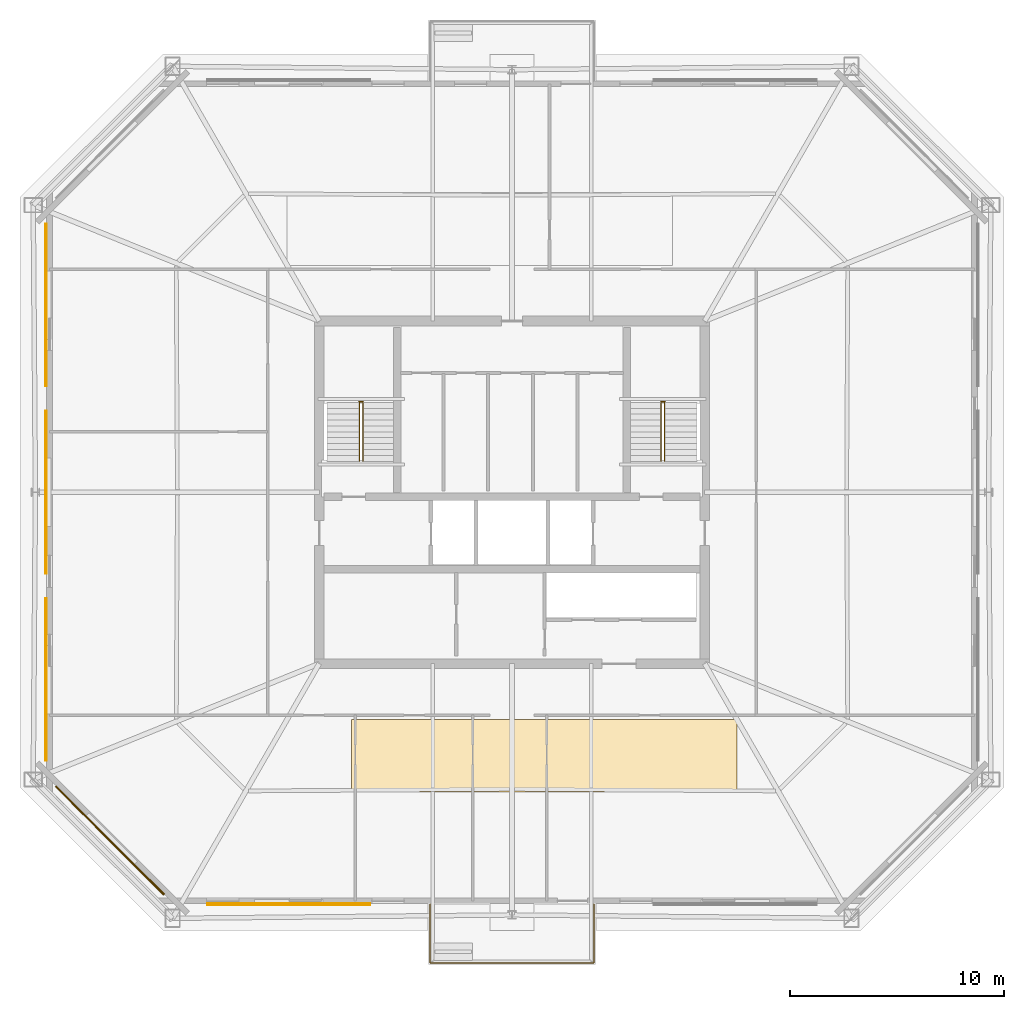
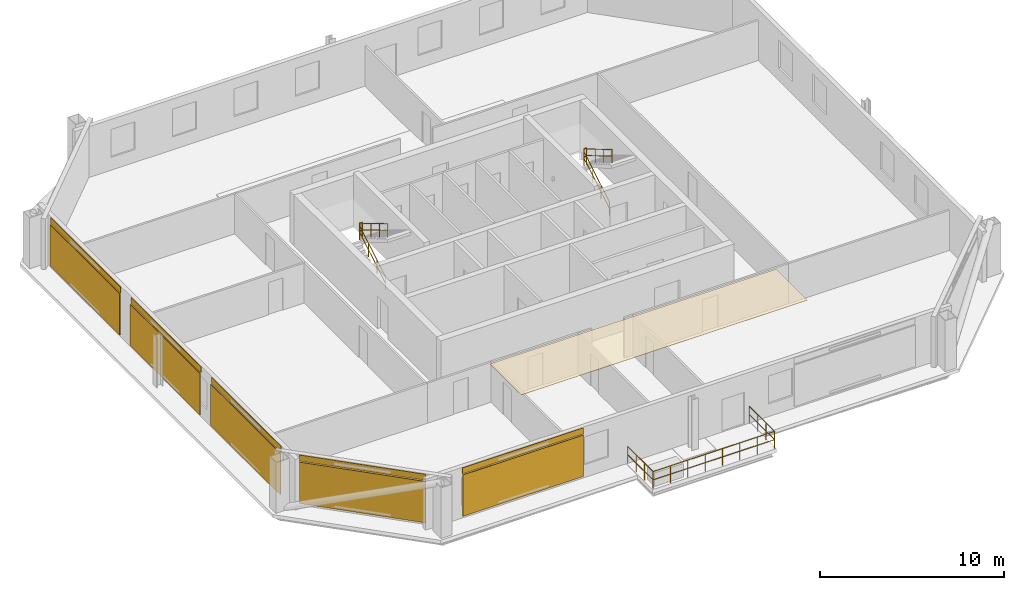
# One storey, part 6 of 7: 7 railings, 6 coverings, 5 shading devices.
"""IFC4 building model written with IfcOpenShell, lengths in metres."""

import ifcopenshell
import ifcopenshell.guid

model = None  # the IFC model being written
_history = None  # IfcOwnerHistory: only IFC2X3 demands one
_inside = {}  # id of a spatial element -> (the spatial element, [elements in it])
_under = {}  # id of a project, library or spatial element -> (it, [spatial elements below it])
_declared = {}  # id of a project -> (the project, [libraries it declares])
_typed = {}  # id of a type object -> (the type object, [elements of that type])
_made_of = {}  # id of a material, layer set ... -> (it, [elements and type objects made of it])


def new_model(schema):
    """Start an empty IFC model of exactly this schema.

    Asked for "IFC4X3", IfcOpenShell would pick the latest addendum, in which some entities
    have other attributes; the version numbers below select the first issue.
    IFC2X3 requires an IfcOwnerHistory on every rooted entity: one is made here for all.
    """
    global model, _history
    if schema == "IFC4X3":
        model = ifcopenshell.file(schema_version=(4, 3, 0, 0))
    else:
        model = ifcopenshell.file(schema=schema)
    _inside.clear()
    _under.clear()
    _declared.clear()
    _typed.clear()
    _made_of.clear()
    _history = None
    if model.schema == "IFC2X3":
        org = make("IfcOrganization", Name="unknown")
        user = make(
            "IfcPersonAndOrganization",
            ThePerson=make("IfcPerson", FamilyName="unknown"),
            TheOrganization=org,
        )
        app = make(
            "IfcApplication",
            ApplicationDeveloper=org,
            Version="unknown",
            ApplicationFullName="unknown",
            ApplicationIdentifier="unknown",
        )
        _history = make(
            "IfcOwnerHistory",
            OwningUser=user,
            OwningApplication=app,
            ChangeAction="ADDED",
            CreationDate=0,
        )
    return model


def make(cls, **values):
    """One entity of the class cls with the attributes given. An attribute that is None is left unset."""
    return model.create_entity(
        cls, **{name: value for name, value in values.items() if value is not None}
    )


def rooted(cls, **values):
    """An entity with a GlobalId (a new one), such as an element, a storey or a relation."""
    return make(cls, GlobalId=ifcopenshell.guid.new(), OwnerHistory=_history, **values)


def si_unit(unit_type, name, prefix=None):
    """IfcSIUnit, for example si_unit("LENGTHUNIT", "METRE", prefix="MILLI")."""
    return make("IfcSIUnit", UnitType=unit_type, Prefix=prefix, Name=name)


def assignment(units):
    """IfcUnitAssignment: the units of a project."""
    return None if units is None else make("IfcUnitAssignment", Units=units)


def point(xyz):
    """IfcCartesianPoint."""
    return None if xyz is None else make("IfcCartesianPoint", Coordinates=xyz)


def direction(xyz):
    """IfcDirection."""
    return None if xyz is None else make("IfcDirection", DirectionRatios=xyz)


def frame(location, z_axis=None, x_axis=None):
    """IfcAxis2Placement3D, a coordinate frame: its origin and axes. An axis left out is left unset."""
    return make(
        "IfcAxis2Placement3D",
        Location=point(location),
        Axis=direction(z_axis),
        RefDirection=direction(x_axis),
    )


def frame_2d(location, x_axis=None):
    """IfcAxis2Placement2D, a coordinate frame in the plane: its origin and x axis."""
    return make(
        "IfcAxis2Placement2D", Location=point(location), RefDirection=direction(x_axis)
    )


def origin():
    """The frame at (0, 0, 0) with its axes left unset."""
    return frame((0.0, 0.0, 0.0))


def origin_2d():
    """The frame at (0, 0) in the plane with its x axis left unset."""
    return frame_2d((0.0, 0.0))


def place(relative_to, where):
    """IfcLocalPlacement: puts the frame where relative to a parent placement (None: the world)."""
    return make(
        "IfcLocalPlacement", PlacementRelTo=relative_to, RelativePlacement=where
    )


def context(
    kind, dimensions, precision=None, world=None, true_north=None, identifier=None
):
    """IfcGeometricRepresentationContext, for example the 3D "Model" context."""
    return make(
        "IfcGeometricRepresentationContext",
        ContextIdentifier=identifier,
        ContextType=kind,
        CoordinateSpaceDimension=dimensions,
        Precision=precision,
        WorldCoordinateSystem=world,
        TrueNorth=true_north,
    )


def subcontext(parent, identifier, kind, view, scale=None):
    """IfcGeometricRepresentationSubContext, for example "Body" below "Model"."""
    return make(
        "IfcGeometricRepresentationSubContext",
        ContextIdentifier=identifier,
        ContextType=kind,
        ParentContext=parent,
        TargetScale=scale,
        TargetView=view,
    )


def project(units=None, contexts=None):
    """IfcProject with its units and contexts."""
    return rooted(
        "IfcProject",
        Name="project",
        RepresentationContexts=contexts,
        UnitsInContext=assignment(units),
    )


def spatial(cls, under=None, at=None, **own):
    """A site, building, storey or space (cls), placed at a placement, below another one or the project."""
    s = rooted(cls, ObjectPlacement=at, **own)
    if under is not None:
        _under.setdefault(under.id(), (under, []))[1].append(s)
    return s


def polyline(points):
    """IfcPolyline through the points."""
    return make("IfcPolyline", Points=[point(p) for p in points])


def profile(cls, at=None, kind="AREA", **sizes):
    """A parametric profile (cls). Its sizes go by their IFC names, for example OverallWidth=200.0."""
    return make(cls, ProfileType=kind, Position=at, **sizes)


def rectangle(**sizes):
    """IfcRectangleProfileDef."""
    return profile("IfcRectangleProfileDef", **sizes)


def circle(**sizes):
    """IfcCircleProfileDef."""
    return profile("IfcCircleProfileDef", **sizes)


def outline(outer, holes=None, kind="AREA"):
    """IfcArbitraryClosedProfileDef: a profile drawn as a closed curve; with holes, ...WithVoids."""
    if holes is None:
        return make("IfcArbitraryClosedProfileDef", ProfileType=kind, OuterCurve=outer)
    return make(
        "IfcArbitraryProfileDefWithVoids",
        ProfileType=kind,
        OuterCurve=outer,
        InnerCurves=holes,
    )


def extrude(swept, where, along, depth):
    """IfcExtrudedAreaSolid: the profile swept, set in the frame where, extruded along a direction by depth."""
    return make(
        "IfcExtrudedAreaSolid",
        SweptArea=swept,
        Position=where,
        ExtrudedDirection=direction(along),
        Depth=depth,
    )


def shape(context_of_items, identifier, shape_type, items):
    """IfcShapeRepresentation: the items that make up one representation, for example the "Body"."""
    return make(
        "IfcShapeRepresentation",
        ContextOfItems=context_of_items,
        RepresentationIdentifier=identifier,
        RepresentationType=shape_type,
        Items=items,
    )


def material(Name=None, Category=None):
    """IfcMaterial."""
    return make("IfcMaterial", Name=Name, Category=Category)


def layer(
    of_material, thickness, ventilated=None, Name=None, Category=None, Priority=None
):
    """IfcMaterialLayer: one layer of a wall or slab, of a material (None: an air gap)."""
    return make(
        "IfcMaterialLayer",
        Material=of_material,
        LayerThickness=thickness,
        IsVentilated=ventilated,
        Name=Name,
        Category=Category,
        Priority=Priority,
    )


def layer_set(layers, Name=None):
    """IfcMaterialLayerSet."""
    return make("IfcMaterialLayerSet", MaterialLayers=layers, LayerSetName=Name)


def made_of(thing, what):
    """Note that an element or type object is made of a material, layer set ...; save() writes the relation."""
    if what is not None:
        _made_of.setdefault(what.id(), (what, []))[1].append(thing)
    return thing


def type_object(cls, material=None, **own):
    """A type object (cls), such as IfcWallType, which elements share."""
    return made_of(rooted(cls, **own), material)


def element(
    cls,
    number,
    at=None,
    inside=None,
    cuts=None,
    type_object=None,
    material=None,
    context=None,
    identifier="Body",
    shape_type=None,
    held_by="IfcProductDefinitionShape",
    body=None,
    shapes=None,
    **own,
):
    """One element of the class cls, such as IfcWall. Its Tag is "e" and its number.

    at: its placement. inside: the storey or other place that contains it. cuts: it is an
    opening in that element (IfcRelVoidsElement). A single representation is given by context,
    identifier, shape_type and body (its items); several are given by shapes. held_by: the class
    of the entity that holds the representations. save() writes the other relations.
    """
    e = rooted(cls, Tag="e%d" % number, ObjectPlacement=at, **own)
    if body is not None:
        shapes = [shape(context, identifier, shape_type, body)]
    if shapes is not None:
        e.Representation = make(held_by, Representations=shapes)
    if inside is not None:
        _inside.setdefault(inside.id(), (inside, []))[1].append(e)
    if cuts is not None:
        rooted(
            "IfcRelVoidsElement", RelatingBuildingElement=cuts, RelatedOpeningElement=e
        )
    if type_object is not None:
        _typed.setdefault(type_object.id(), (type_object, []))[1].append(e)
    return made_of(e, material)


def aggregate(whole, parts):
    """IfcRelAggregates: a whole, such as a stair, and the parts it consists of."""
    return rooted("IfcRelAggregates", RelatingObject=whole, RelatedObjects=parts)


def save(model, path):
    """Write the relations noted so far, then the file.

    IfcRelAggregates (storeys below a building ...), IfcRelContainedInSpatialStructure (elements
    in a storey), IfcRelDefinesByType, IfcRelAssociatesMaterial and IfcRelDeclares: one each for
    every whole, place, type object, material and project.
    """
    for whole, parts in _under.values():
        aggregate(whole, parts)
    for where, things in _inside.values():
        rooted(
            "IfcRelContainedInSpatialStructure",
            RelatedElements=things,
            RelatingStructure=where,
        )
    for kind, things in _typed.values():
        rooted("IfcRelDefinesByType", RelatedObjects=things, RelatingType=kind)
    for what, things in _made_of.values():
        rooted("IfcRelAssociatesMaterial", RelatedObjects=things, RelatingMaterial=what)
    for by, libraries in _declared.values():
        rooted("IfcRelDeclares", RelatingContext=by, RelatedDefinitions=libraries)
    model.write(path)


model = new_model("IFC4")

# Units and contexts
model_context = context("Model", 3, precision=1e-05, world=origin(), true_north=direction((0.0, 1.0)))
body_context = subcontext(model_context, "Body", "Model", "MODEL_VIEW")
ifc_project = project(units=[si_unit("LENGTHUNIT", "METRE"), si_unit("AREAUNIT", "SQUARE_METRE"), si_unit("VOLUMEUNIT", "CUBIC_METRE"), si_unit("PLANEANGLEUNIT", "RADIAN"), si_unit("MASSUNIT", "GRAM", prefix="KILO")], contexts=[model_context])

# Site, building, storey
site_placement = place(None, origin())
site = spatial("IfcSite", under=ifc_project, at=site_placement, CompositionType="ELEMENT")
building_placement = place(site_placement, origin())
building = spatial("IfcBuilding", under=site, at=building_placement, Name="Caelvoria Tower", CompositionType="ELEMENT")
storey_placement = place(building_placement, frame((0.0, 0.0, 191.39990234375)))
storey = spatial("IfcBuildingStorey", under=building, at=storey_placement, Name="L50", CompositionType="ELEMENT", Elevation=191.39990234375)

# Railing
ifc_material_1 = material(Name="Bronze Anodised Aluminium and Stainless Steel", Category="steel")
railing_type_1 = type_object("IfcRailingType", Name="Exterior Terrace and Balcony Guardrail 1150", PredefinedType="GUARDRAIL", material=ifc_material_1)
railing_1_placement = place(storey_placement, frame((42.179931640625, 12.780029296875, 0.0)))
element("IfcRailing", 1, at=railing_1_placement, inside=storey, type_object=railing_type_1, Name="Tree Balcony Guardrail TB-L50-S", PredefinedType="GUARDRAIL", context=body_context, shape_type="SweptSolid", body=[
    extrude(circle(Radius=0.02392578125, at=origin_2d()), frame((0.0, 0.0, 1.1259765625), z_axis=(0.0, -1.0, 0.0), x_axis=(1.0, 0.0, 0.0)), (0.0, 0.0, 1.0), 2.760009765625),
    extrude(circle(Radius=0.02392578125, at=origin_2d()), frame((0.0, 0.0, 0.574951171875), z_axis=(0.0, -1.0, 0.0), x_axis=(1.0, 0.0, 0.0)), (0.0, 0.0, 1.0), 2.760009765625),
    extrude(circle(Radius=0.02392578125, at=origin_2d()), frame((0.0, -2.760009765625, 1.1259765625), z_axis=(1.0, 0.0, 0.0), x_axis=(0.0, 1.0, 0.0)), (0.0, 0.0, 1.0), 7.64013671875),
    extrude(circle(Radius=0.02392578125, at=origin_2d()), frame((0.0, -2.760009765625, 0.574951171875), z_axis=(1.0, 0.0, 0.0), x_axis=(0.0, 1.0, 0.0)), (0.0, 0.0, 1.0), 7.64013671875),
    extrude(circle(Radius=0.02392578125, at=origin_2d()), frame((7.64013671875, -2.760009765625, 1.1259765625), z_axis=(0.0, 1.0, 0.0), x_axis=(-1.0, 0.0, 0.0)), (0.0, 0.0, 1.0), 2.760009765625),
    extrude(circle(Radius=0.02392578125, at=origin_2d()), frame((7.64013671875, -2.760009765625, 0.574951171875), z_axis=(0.0, 1.0, 0.0), x_axis=(-1.0, 0.0, 0.0)), (0.0, 0.0, 1.0), 2.760009765625),
    extrude(circle(Radius=0.02099609375, at=origin_2d()), origin(), (0.0, 0.0, 1.0), 1.101806640625),
    extrude(circle(Radius=0.02099609375, at=origin_2d()), frame((0.0, -0.919921875, 0.0)), (0.0, 0.0, 1.0), 1.101806640625),
    extrude(circle(Radius=0.02099609375, at=origin_2d()), frame((0.0, -1.840087890625, 0.0)), (0.0, 0.0, 1.0), 1.101806640625),
    extrude(circle(Radius=0.02099609375, at=origin_2d()), frame((0.0, -2.760009765625, 0.0)), (0.0, 0.0, 1.0), 1.101806640625),
    extrude(circle(Radius=0.02099609375, at=origin_2d()), frame((1.091552734375, -2.760009765625, 0.0)), (0.0, 0.0, 1.0), 1.101806640625),
    extrude(circle(Radius=0.02099609375, at=origin_2d()), frame((2.182861328125, -2.760009765625, 0.0)), (0.0, 0.0, 1.0), 1.101806640625),
    extrude(circle(Radius=0.02099609375, at=origin_2d()), frame((3.2744140625, -2.760009765625, 0.0)), (0.0, 0.0, 1.0), 1.101806640625),
    extrude(circle(Radius=0.02099609375, at=origin_2d()), frame((4.36572265625, -2.760009765625, 0.0)), (0.0, 0.0, 1.0), 1.101806640625),
    extrude(circle(Radius=0.02099609375, at=origin_2d()), frame((5.457275390625, -2.760009765625, 0.0)), (0.0, 0.0, 1.0), 1.101806640625),
    extrude(circle(Radius=0.02099609375, at=origin_2d()), frame((6.548583984375, -2.760009765625, 0.0)), (0.0, 0.0, 1.0), 1.101806640625),
    extrude(circle(Radius=0.02099609375, at=origin_2d()), frame((7.64013671875, -2.760009765625, 0.0)), (0.0, 0.0, 1.0), 1.101806640625),
    extrude(circle(Radius=0.02099609375, at=origin_2d()), frame((7.64013671875, -1.840087890625, 0.0)), (0.0, 0.0, 1.0), 1.101806640625),
    extrude(circle(Radius=0.02099609375, at=origin_2d()), frame((7.64013671875, -0.919921875, 0.0)), (0.0, 0.0, 1.0), 1.101806640625),
    extrude(circle(Radius=0.02099609375, at=origin_2d()), frame((7.64013671875, 0.0, 0.0)), (0.0, 0.0, 1.0), 1.101806640625),
])

# Coverings
ifc_material_2 = material(Name="Acoustic Mineral Fibre Tile", Category="gypsum")
ifc_layer_1 = layer(ifc_material_2, 0.02490234375, Name="Acoustic Mineral Fibre Tile")
ifc_layer_set_1 = layer_set([ifc_layer_1], Name="Mineral-Fibre Acoustic Suspended Ceiling 25 - Acoustic Mineral Fibre Tile")
covering_type_1 = type_object("IfcCoveringType", Name="Mineral-Fibre Acoustic Suspended Ceiling 25", PredefinedType="CEILING", material=ifc_layer_set_1)
covering_1_placement = place(storey_placement, frame((0.0, 0.0, 2.650146484375)))
element("IfcCovering", 2, at=covering_1_placement, inside=storey, type_object=covering_type_1, Name="Suspended Acoustic Ceiling L50", PredefinedType="CEILING", context=body_context, shape_type="SweptSolid", body=[
    extrude(outline(polyline([(38.5, 18.0), (56.5, 18.0), (56.5, 21.39990234375), (38.5, 21.39990234375), (38.5, 18.0)])), origin(), (0.0, 0.0, 1.0), 0.02490234375),
])
ifc_material_3 = material(Name="Perforated Architectural Bronze Cladding Screen", Category="bronze")
ifc_layer_2 = layer(ifc_material_3, 0.0400390625, Name="Perforated Architectural Bronze Cladding Screen")
ifc_layer_set_2 = layer_set([ifc_layer_2], Name="Perforated Bronze Louvre Cladding Band 40 - Perforated Architectural Bronze Cladding Screen")
covering_type_2 = type_object("IfcCoveringType", Name="Perforated Bronze Louvre Cladding Band 40", PredefinedType="CLADDING", material=ifc_layer_set_2)
for number, where, z_axis, x_axis, name in (
    (3, (35.5732421875, 12.775390625, 2.955078125), (0.0, 0.0, 1.0), (1.0, 0.0, 0.0), "Perforated Bronze Screen Band L50-E0-00"),
    (4, (24.255615234375, 40.74658203125, 2.955078125), (0.0, 0.0, 1.0), (0.0, -1.0, 0.0), "Perforated Bronze Screen Band L50-E6-00"),
    (5, (24.255615234375, 32.0, 2.955078125), (0.0, 0.0, 1.0), (0.0, -1.0, 0.0), "Perforated Bronze Screen Band L50-E6-01"),
    (6, (24.255615234375, 23.25341796875, 2.955078125), (0.0, 0.0, 1.0), (0.0, -1.0, 0.0), "Perforated Bronze Screen Band L50-E6-02"),
):
    element("IfcCovering", number, at=place(storey_placement, frame(where, z_axis=z_axis, x_axis=x_axis)), inside=storey, type_object=covering_type_2, Name=name, PredefinedType="CLADDING", context=body_context, shape_type="SweptSolid", body=[
        extrude(rectangle(XDim=7.60009765625, YDim=0.0400390625, at=origin_2d()), origin(), (0.0, 0.0, 1.0), 0.39990234375),
    ])
covering_2_placement = place(storey_placement, frame((27.233642578125, 15.753662109375, 2.955078125), z_axis=(0.0, 0.0, 1.0), x_axis=(0.707106781187, -0.707106781187, 0.0)))
element("IfcCovering", 7, at=covering_2_placement, inside=storey, type_object=covering_type_2, Name="Perforated Bronze Screen Band L50-E7-00", PredefinedType="CLADDING", context=body_context, shape_type="SweptSolid", body=[
    extrude(rectangle(XDim=7.151611328125, YDim=0.0400390625, at=origin_2d()), origin(), (0.0, 0.0, 1.0), 0.39990234375),
])

# Shading devices
ifc_material_4 = material(Name="Perforated Architectural Bronze Alloy Panel", Category="bronze")
ifc_layer_3 = layer(ifc_material_4, 0.044921875, Name="Perforated Architectural Bronze Alloy Panel")
ifc_layer_set_3 = layer_set([ifc_layer_3], Name="Perforated Bronze Solar Screen Panel SCREEN - Perforated Architectural Bronze Alloy Panel")
shading_device_type = type_object("IfcShadingDeviceType", Name="Perforated Bronze Solar Screen Panel SCREEN", PredefinedType="USERDEFINED", material=ifc_layer_set_3)
for number, where, z_axis, x_axis, name in (
    (8, (35.5732421875, 12.732421875, 0.16015625), (0.0, 0.0, 1.0), (1.0, 0.0, 0.0), "Perforated Bronze Solar Screen L50-E0-00"),
    (9, (24.21240234375, 40.74658203125, 0.16015625), (0.0, 0.0, 1.0), (0.0, -1.0, 0.0), "Perforated Bronze Solar Screen L50-E6-00"),
    (10, (24.21240234375, 32.0, 0.16015625), (0.0, 0.0, 1.0), (0.0, -1.0, 0.0), "Perforated Bronze Solar Screen L50-E6-01"),
    (11, (24.21240234375, 23.25341796875, 0.16015625), (0.0, 0.0, 1.0), (0.0, -1.0, 0.0), "Perforated Bronze Solar Screen L50-E6-02"),
):
    element("IfcShadingDevice", number, at=place(storey_placement, frame(where, z_axis=z_axis, x_axis=x_axis)), inside=storey, type_object=shading_device_type, Name=name, ObjectType="SCREEN", PredefinedType="USERDEFINED", context=body_context, shape_type="SweptSolid", body=[
        extrude(rectangle(XDim=7.60009765625, YDim=0.044921875, at=origin_2d()), origin(), (0.0, 0.0, 1.0), 2.75),
    ])
shading_device_placement = place(storey_placement, frame((27.203125, 15.72314453125, 0.16015625), z_axis=(0.0, 0.0, 1.0), x_axis=(0.707106781187, -0.707106781187, 0.0)))
element("IfcShadingDevice", 12, at=shading_device_placement, inside=storey, type_object=shading_device_type, Name="Perforated Bronze Solar Screen L50-E7-00", ObjectType="SCREEN", PredefinedType="USERDEFINED", context=body_context, shape_type="SweptSolid", body=[
    extrude(rectangle(XDim=7.151611328125, YDim=0.044921875, at=origin_2d()), origin(), (0.0, 0.0, 1.0), 2.75),
])

# Railings
ifc_material_5 = material(Name="Brushed Stainless Steel Tube", Category="steel")
railing_type_2 = type_object("IfcRailingType", Name="Stair Tubular Stainless Handrail 920", PredefinedType="HANDRAIL", material=ifc_material_5)
railing_2_placement = place(storey_placement, frame((38.8701171875, 33.449951171875, 0.163818359375)))
element("IfcRailing", 13, at=railing_2_placement, inside=storey, type_object=railing_type_2, Name="ST-01 Flight 1 Handrail L50", PredefinedType="HANDRAIL", context=body_context, shape_type="SweptSolid", body=[
    extrude(circle(Radius=0.02392578125, at=origin_2d()), frame((0.0, 0.0, 0.89599609375), z_axis=(0.0, 0.859385484447, 0.511328259656), x_axis=(-1.0, 0.0, 0.0)), (0.0, 0.0, 1.0), 3.199951171875),
    extrude(circle(Radius=0.02392578125, at=origin_2d()), frame((0.0, 0.0, 0.4599609375), z_axis=(0.0, 0.859385484447, 0.511328259656), x_axis=(-1.0, 0.0, 0.0)), (0.0, 0.0, 1.0), 3.199951171875),
    extrude(circle(Radius=0.02099609375, at=origin_2d()), origin(), (0.0, 0.0, 1.0), 0.871826171875),
    extrude(circle(Radius=0.02099609375, at=origin_2d()), frame((0.0, 0.916748046875, 0.54541015625)), (0.0, 0.0, 1.0), 0.871826171875),
    extrude(circle(Radius=0.02099609375, at=origin_2d()), frame((0.0, 1.833251953125, 1.0908203125)), (0.0, 0.0, 1.0), 0.871826171875),
    extrude(circle(Radius=0.02099609375, at=origin_2d()), frame((0.0, 2.75, 1.63623046875)), (0.0, 0.0, 1.0), 0.871826171875),
])
railing_3_placement = place(storey_placement, frame((39.030029296875, 36.199951171875, 1.963623046875)))
element("IfcRailing", 14, at=railing_3_placement, inside=storey, type_object=railing_type_2, Name="ST-01 Flight 2 Handrail L50", PredefinedType="HANDRAIL", context=body_context, shape_type="SweptSolid", body=[
    extrude(circle(Radius=0.02392578125, at=origin_2d()), frame((0.0, 0.0, 0.89599609375), z_axis=(0.0, -0.859351957796, 0.511384603436), x_axis=(1.0, 0.0, 0.0)), (0.0, 0.0, 1.0), 3.2001953125),
    extrude(circle(Radius=0.02392578125, at=origin_2d()), frame((0.0, 0.0, 0.4599609375), z_axis=(0.0, -0.859351957796, 0.511384603436), x_axis=(1.0, 0.0, 0.0)), (0.0, 0.0, 1.0), 3.2001953125),
    extrude(circle(Radius=0.02099609375, at=origin_2d()), origin(), (0.0, 0.0, 1.0), 0.871826171875),
    extrude(circle(Radius=0.02099609375, at=origin_2d()), frame((0.0, -0.916748046875, 0.54541015625)), (0.0, 0.0, 1.0), 0.871826171875),
    extrude(circle(Radius=0.02099609375, at=origin_2d()), frame((0.0, -1.833251953125, 1.091064453125)), (0.0, 0.0, 1.0), 0.871826171875),
    extrude(circle(Radius=0.02099609375, at=origin_2d()), frame((0.0, -2.75, 1.636474609375)), (0.0, 0.0, 1.0), 0.871826171875),
])
railing_4_placement = place(storey_placement, frame((52.969970703125, 33.449951171875, 0.163818359375)))
element("IfcRailing", 15, at=railing_4_placement, inside=storey, type_object=railing_type_2, Name="ST-02 Flight 1 Handrail L50", PredefinedType="HANDRAIL", context=body_context, shape_type="SweptSolid", body=[
    extrude(circle(Radius=0.02392578125, at=origin_2d()), frame((0.0, 0.0, 0.89599609375), z_axis=(0.0, 0.859385484447, 0.511328259656), x_axis=(-1.0, 0.0, 0.0)), (0.0, 0.0, 1.0), 3.199951171875),
    extrude(circle(Radius=0.02392578125, at=origin_2d()), frame((0.0, 0.0, 0.4599609375), z_axis=(0.0, 0.859385484447, 0.511328259656), x_axis=(-1.0, 0.0, 0.0)), (0.0, 0.0, 1.0), 3.199951171875),
    extrude(circle(Radius=0.02099609375, at=origin_2d()), origin(), (0.0, 0.0, 1.0), 0.871826171875),
    extrude(circle(Radius=0.02099609375, at=origin_2d()), frame((0.0, 0.916748046875, 0.54541015625)), (0.0, 0.0, 1.0), 0.871826171875),
    extrude(circle(Radius=0.02099609375, at=origin_2d()), frame((0.0, 1.833251953125, 1.0908203125)), (0.0, 0.0, 1.0), 0.871826171875),
    extrude(circle(Radius=0.02099609375, at=origin_2d()), frame((0.0, 2.75, 1.63623046875)), (0.0, 0.0, 1.0), 0.871826171875),
])
railing_5_placement = place(storey_placement, frame((53.1298828125, 36.199951171875, 1.963623046875)))
element("IfcRailing", 16, at=railing_5_placement, inside=storey, type_object=railing_type_2, Name="ST-02 Flight 2 Handrail L50", PredefinedType="HANDRAIL", context=body_context, shape_type="SweptSolid", body=[
    extrude(circle(Radius=0.02392578125, at=origin_2d()), frame((0.0, 0.0, 0.89599609375), z_axis=(0.0, -0.859351957796, 0.511384603436), x_axis=(1.0, 0.0, 0.0)), (0.0, 0.0, 1.0), 3.2001953125),
    extrude(circle(Radius=0.02392578125, at=origin_2d()), frame((0.0, 0.0, 0.4599609375), z_axis=(0.0, -0.859351957796, 0.511384603436), x_axis=(1.0, 0.0, 0.0)), (0.0, 0.0, 1.0), 3.2001953125),
    extrude(circle(Radius=0.02099609375, at=origin_2d()), origin(), (0.0, 0.0, 1.0), 0.871826171875),
    extrude(circle(Radius=0.02099609375, at=origin_2d()), frame((0.0, -0.916748046875, 0.54541015625)), (0.0, 0.0, 1.0), 0.871826171875),
    extrude(circle(Radius=0.02099609375, at=origin_2d()), frame((0.0, -1.833251953125, 1.091064453125)), (0.0, 0.0, 1.0), 0.871826171875),
    extrude(circle(Radius=0.02099609375, at=origin_2d()), frame((0.0, -2.75, 1.636474609375)), (0.0, 0.0, 1.0), 0.871826171875),
])
ifc_material_6 = material(Name="Brushed Stainless Steel Guardrail", Category="steel")
railing_type_3 = type_object("IfcRailingType", Name="Stair Well and Ramp Guardrail 1120", PredefinedType="GUARDRAIL", material=ifc_material_6)
for number, where, name in (
    (17, (38.8701171875, 36.239990234375, 1.800048828125), "ST-01 Half-Landing Well Guard L50"),
    (18, (52.969970703125, 36.239990234375, 1.800048828125), "ST-02 Half-Landing Well Guard L50"),
):
    element("IfcRailing", number, at=place(storey_placement, frame(where)), inside=storey, type_object=railing_type_3, Name=name, PredefinedType="GUARDRAIL", context=body_context, shape_type="SweptSolid", body=[
        extrude(circle(Radius=0.02392578125, at=origin_2d()), frame((0.0, 0.0, 1.09619140625), z_axis=(1.0, 0.0, 0.0), x_axis=(0.0, 1.0, 0.0)), (0.0, 0.0, 1.0), 0.159912109375),
        extrude(circle(Radius=0.02392578125, at=origin_2d()), frame((0.0, 0.0, 0.56005859375), z_axis=(1.0, 0.0, 0.0), x_axis=(0.0, 1.0, 0.0)), (0.0, 0.0, 1.0), 0.159912109375),
        extrude(circle(Radius=0.02099609375, at=origin_2d()), origin(), (0.0, 0.0, 1.0), 1.072021484375),
        extrude(circle(Radius=0.02099609375, at=origin_2d()), frame((0.159912109375, 0.0, 0.0)), (0.0, 0.0, 1.0), 1.072021484375),
    ])

save(model, "model.ifc")
